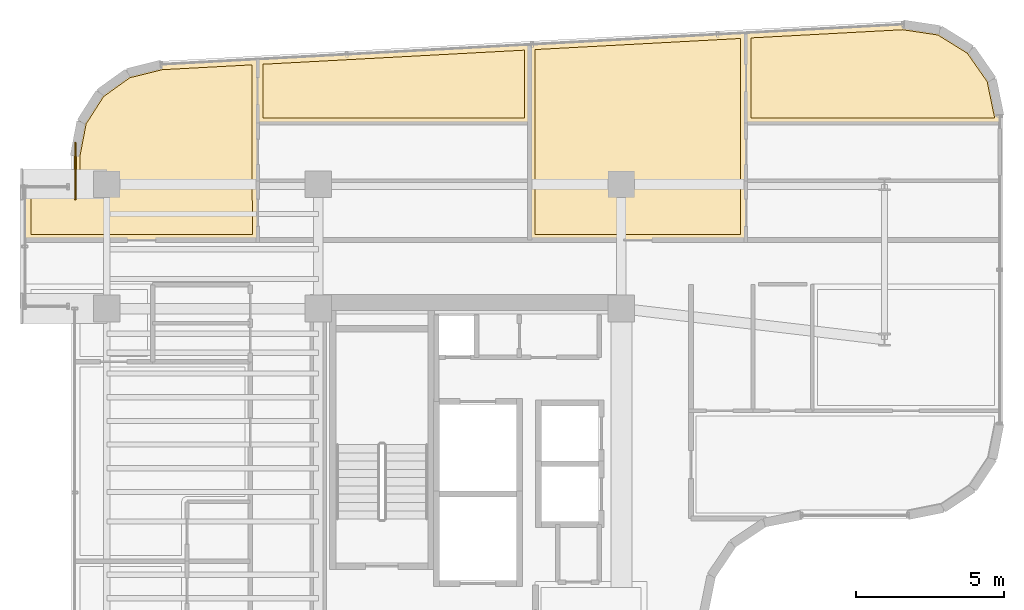
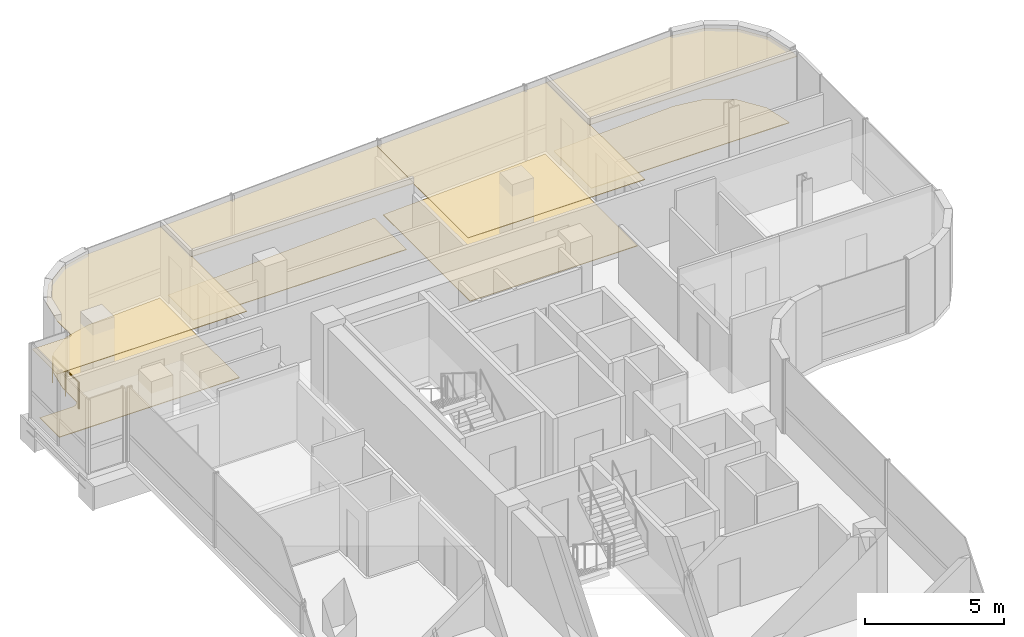
# One storey, part 23 of 23: 8 coverings, 1 railing.
"""IFC4 building model written with IfcOpenShell, lengths in metres."""

from ifc_helpers import new_model, si_unit, direction, frame, origin, origin_2d, place, context, subcontext, project, spatial, polyline, circle, outline, extrude, material, layer, layer_set, type_object, element, save


model = new_model("IFC4")

# Units and contexts
model_context = context("Model", 3, precision=1e-05, world=origin(), true_north=direction((0.0, 1.0)))
body_context = subcontext(model_context, "Body", "Model", "MODEL_VIEW")
ifc_project = project(units=[si_unit("LENGTHUNIT", "METRE"), si_unit("AREAUNIT", "SQUARE_METRE"), si_unit("VOLUMEUNIT", "CUBIC_METRE"), si_unit("PLANEANGLEUNIT", "RADIAN"), si_unit("MASSUNIT", "GRAM", prefix="KILO")], contexts=[model_context])

# Site, building, storey
site_placement = place(None, origin())
site = spatial("IfcSite", under=ifc_project, at=site_placement, CompositionType="ELEMENT")
building_placement = place(site_placement, origin())
building = spatial("IfcBuilding", under=site, at=building_placement, Name="Valdorenza Pilgrim Sanctuary Tower", CompositionType="ELEMENT")
storey_placement = place(building_placement, frame((0.0, 0.0, 226.5)))
storey = spatial("IfcBuildingStorey", under=building, at=storey_placement, Name="L58", CompositionType="ELEMENT", Elevation=226.5)

# Coverings
ifc_material_1 = material(Name="Micro-perforated acoustic mineral ceiling tile", Category="gypsum")
ifc_layer_1 = layer(ifc_material_1, 0.02490234375, Name="Micro-perforated acoustic mineral ceiling tile")
ifc_layer_set_1 = layer_set([ifc_layer_1], Name="Micro-perforated acoustic mineral ceiling tile")
covering_type_1 = type_object("IfcCoveringType", Name="COV-CLG-ACU", PredefinedType="CEILING", material=ifc_layer_set_1)
covering_1_placement = place(storey_placement, frame((0.0, 0.0, 2.9599609375)))
element("IfcCovering", 1, at=covering_1_placement, inside=storey, type_object=covering_type_1, Name="L58 North Sanctuary Apartment L58-N1 Bedroom Acoustic Ceiling", PredefinedType="CEILING", context=body_context, shape_type="SweptSolid", body=[
    extrude(outline(polyline([(-24.70166015625, 16.85498046875), (-24.703125, 16.85498046875), (-24.70458984375, 16.855224609375), (-24.7060546875, 16.855712890625), (-24.707275390625, 16.856201171875), (-24.708740234375, 16.856689453125), (-24.7099609375, 16.857421875), (-24.711181640625, 16.8583984375), (-24.712158203125, 16.859375), (-24.713134765625, 16.860595703125), (-24.714111328125, 16.86181640625), (-24.71484375, 16.86279296875), (-24.715576171875, 16.8642578125), (-24.716064453125, 16.865478515625), (-24.71630859375, 16.8671875), (-24.716552734375, 16.868408203125), (-24.716552734375, 16.8701171875), (-24.716552734375, 19.02978515625), (-24.716552734375, 19.03125), (-24.71630859375, 19.03271484375), (-24.7158203125, 19.0341796875), (-24.71533203125, 19.03564453125), (-24.714599609375, 19.037109375), (-24.7138671875, 19.038330078125), (-24.712890625, 19.03955078125), (-24.7119140625, 19.04052734375), (-24.710693359375, 19.04150390625), (-24.709716796875, 19.04248046875), (-24.708251953125, 19.043212890625), (-24.706787109375, 19.043701171875), (-24.705322265625, 19.044189453125), (-24.703857421875, 19.044677734375), (-24.702392578125, 19.044677734375), (-15.500732421875, 19.541259765625), (-15.49951171875, 19.541259765625), (-15.497802734375, 19.541259765625), (-15.49658203125, 19.541015625), (-15.4951171875, 19.54052734375), (-15.493896484375, 19.5400390625), (-15.49267578125, 19.539306640625), (-15.4912109375, 19.53857421875), (-15.490234375, 19.53759765625), (-15.4892578125, 19.53662109375), (-15.48828125, 19.53564453125), (-15.4873046875, 19.534423828125), (-15.48681640625, 19.533203125), (-15.486083984375, 19.531982421875), (-15.485595703125, 19.530517578125), (-15.4853515625, 19.529296875), (-15.485107421875, 19.52783203125), (-15.485107421875, 19.5263671875), (-15.485107421875, 16.8701171875), (-15.485107421875, 16.868408203125), (-15.4853515625, 16.8671875), (-15.485595703125, 16.865478515625), (-15.486083984375, 16.8642578125), (-15.48681640625, 16.86279296875), (-15.487548828125, 16.86181640625), (-15.48828125, 16.860595703125), (-15.489501953125, 16.859375), (-15.490478515625, 16.8583984375), (-15.49169921875, 16.857421875), (-15.492919921875, 16.856689453125), (-15.494384765625, 16.856201171875), (-15.49560546875, 16.855712890625), (-15.4970703125, 16.855224609375), (-15.49853515625, 16.85498046875), (-15.5, 16.85498046875), (-24.70166015625, 16.85498046875)])), origin(), (0.0, 0.0, 1.0), 0.025146484375),
])
covering_2_placement = place(storey_placement, frame((0.0, 0.0, 2.9599609375)))
element("IfcCovering", 2, at=covering_2_placement, inside=storey, type_object=covering_type_1, Name="L58 North Sanctuary Apartment L58-N1 Living Room Acoustic Ceiling", PredefinedType="CEILING", context=body_context, shape_type="SweptSolid", body=[
    extrude(outline(polyline([(-32.5400390625, 12.905029296875), (-32.54150390625, 12.905029296875), (-32.54296875, 12.9052734375), (-32.54443359375, 12.905517578125), (-32.545654296875, 12.906005859375), (-32.547119140625, 12.90673828125), (-32.54833984375, 12.907470703125), (-32.549560546875, 12.908447265625), (-32.550537109375, 12.909423828125), (-32.551513671875, 12.910400390625), (-32.552490234375, 12.91162109375), (-32.55322265625, 12.912841796875), (-32.553955078125, 12.914306640625), (-32.554443359375, 12.91552734375), (-32.5546875, 12.9169921875), (-32.554931640625, 12.91845703125), (-32.554931640625, 12.919921875), (-32.554931640625, 14.68994140625), (-32.554931640625, 14.69140625), (-32.5546875, 14.69287109375), (-32.554443359375, 14.6943359375), (-32.553955078125, 14.69580078125), (-32.55322265625, 14.697021484375), (-32.552490234375, 14.6982421875), (-32.551513671875, 14.699462890625), (-32.550537109375, 14.70068359375), (-32.549560546875, 14.70166015625), (-32.54833984375, 14.702392578125), (-32.547119140625, 14.703125), (-32.545654296875, 14.703857421875), (-32.54443359375, 14.704345703125), (-32.54296875, 14.70458984375), (-32.54150390625, 14.704833984375), (-32.5400390625, 14.705078125), (-31.00048828125, 14.705078125), (-30.99072265625, 14.70556640625), (-30.9814453125, 14.706787109375), (-30.972412109375, 14.708984375), (-30.963623046875, 14.712158203125), (-30.955078125, 14.71630859375), (-30.947265625, 14.720947265625), (-30.939697265625, 14.7265625), (-30.932861328125, 14.73291015625), (-30.926513671875, 14.73974609375), (-30.9208984375, 14.747314453125), (-30.916259765625, 14.755126953125), (-30.912109375, 14.763671875), (-30.9091796875, 14.7724609375), (-30.90673828125, 14.781494140625), (-30.905517578125, 14.790771484375), (-30.905029296875, 14.80029296875), (-30.905029296875, 15.757568359375), (-30.90478515625, 15.759033203125), (-30.90478515625, 15.760498046875), (-30.683349609375, 16.9140625), (-30.68310546875, 16.915283203125), (-30.6826171875, 16.916748046875), (-30.681884765625, 16.918212890625), (-30.681396484375, 16.919189453125), (-30.05419921875, 17.89990234375), (-30.053466796875, 17.901123046875), (-30.052490234375, 17.90234375), (-30.051513671875, 17.9033203125), (-30.05029296875, 17.904052734375), (-29.104736328125, 18.5830078125), (-29.103515625, 18.583740234375), (-29.102294921875, 18.58447265625), (-29.10107421875, 18.5849609375), (-29.099609375, 18.58544921875), (-27.959716796875, 18.86865234375), (-27.958251953125, 18.868896484375), (-27.956787109375, 18.869140625), (-24.704345703125, 19.044677734375), (-24.702880859375, 19.044677734375), (-24.701416015625, 19.04443359375), (-24.7001953125, 19.044189453125), (-24.69873046875, 19.043701171875), (-24.697509765625, 19.043212890625), (-24.6962890625, 19.042724609375), (-24.69482421875, 19.0419921875), (-24.69384765625, 19.041015625), (-24.69287109375, 19.0400390625), (-24.69189453125, 19.0390625), (-24.69091796875, 19.037841796875), (-24.690185546875, 19.03662109375), (-24.689697265625, 19.03515625), (-24.689208984375, 19.033935546875), (-24.68896484375, 19.032470703125), (-24.688720703125, 19.031005859375), (-24.688720703125, 19.02978515625), (-24.688720703125, 16.87548828125), (-24.688232421875, 16.875), (-24.687744140625, 16.87353515625), (-24.687255859375, 16.872314453125), (-24.68701171875, 16.870849609375), (-24.686767578125, 16.869384765625), (-24.6865234375, 16.867919921875), (-24.6865234375, 12.919921875), (-24.686767578125, 12.91845703125), (-24.68701171875, 12.9169921875), (-24.687255859375, 12.91552734375), (-24.687744140625, 12.914306640625), (-24.6884765625, 12.912841796875), (-24.689208984375, 12.91162109375), (-24.68994140625, 12.910400390625), (-24.69091796875, 12.909423828125), (-24.692138671875, 12.908447265625), (-24.693359375, 12.907470703125), (-24.694580078125, 12.90673828125), (-24.69580078125, 12.906005859375), (-24.697265625, 12.905517578125), (-24.69873046875, 12.9052734375), (-24.7001953125, 12.905029296875), (-24.70166015625, 12.905029296875), (-32.5400390625, 12.905029296875)])), origin(), (0.0, 0.0, 1.0), 0.025146484375),
])
covering_3_placement = place(storey_placement, frame((0.0, 0.0, 2.9599609375)))
element("IfcCovering", 3, at=covering_3_placement, inside=storey, type_object=covering_type_1, Name="L58 North Sanctuary Apartment L58-N2 Bedroom Acoustic Ceiling", PredefinedType="CEILING", context=body_context, shape_type="SweptSolid", body=[
    extrude(outline(polyline([(-8.20556640625, 19.9208984375), (-8.20556640625, 19.92236328125), (-8.205322265625, 19.923828125), (-8.204833984375, 19.92529296875), (-8.204345703125, 19.9267578125), (-8.20361328125, 19.927978515625), (-8.202880859375, 19.929443359375), (-8.201904296875, 19.9306640625), (-8.200927734375, 19.931640625), (-8.19970703125, 19.9326171875), (-8.198486328125, 19.93359375), (-8.197265625, 19.934326171875), (-8.19580078125, 19.934814453125), (-8.1943359375, 19.935302734375), (-8.19287109375, 19.935546875), (-8.19140625, 19.935791015625), (-2.87841796875, 20.222412109375), (-2.876953125, 20.222412109375), (-2.87548828125, 20.222412109375), (-1.63232421875, 20.035400390625), (-1.630859375, 20.03515625), (-1.62939453125, 20.034912109375), (-1.628173828125, 20.0341796875), (-1.626708984375, 20.033447265625), (-0.568359375, 19.376708984375), (-0.567138671875, 19.3759765625), (-0.56591796875, 19.375), (-0.56494140625, 19.373779296875), (-0.56396484375, 19.372802734375), (0.148681640625, 18.351318359375), (0.1494140625, 18.349853515625), (0.150146484375, 18.3486328125), (0.150634765625, 18.34716796875), (0.151123046875, 18.345703125), (0.40478515625, 17.114501953125), (0.40478515625, 17.11279296875), (0.405029296875, 17.111328125), (0.405029296875, 16.8701171875), (0.40478515625, 16.868408203125), (0.40478515625, 16.8671875), (0.404296875, 16.865478515625), (0.40380859375, 16.8642578125), (0.4033203125, 16.86279296875), (0.402587890625, 16.86181640625), (0.401611328125, 16.860595703125), (0.400634765625, 16.859375), (0.3994140625, 16.8583984375), (0.398193359375, 16.857421875), (0.397216796875, 16.856689453125), (0.395751953125, 16.856201171875), (0.394287109375, 16.855712890625), (0.392822265625, 16.855224609375), (0.3916015625, 16.85498046875), (0.389892578125, 16.85498046875), (-8.190673828125, 16.85498046875), (-8.192138671875, 16.85498046875), (-8.193603515625, 16.855224609375), (-8.195068359375, 16.855712890625), (-8.1962890625, 16.856201171875), (-8.19775390625, 16.856689453125), (-8.198974609375, 16.857421875), (-8.2001953125, 16.8583984375), (-8.201171875, 16.859375), (-8.2021484375, 16.860595703125), (-8.203125, 16.86181640625), (-8.203857421875, 16.86279296875), (-8.20458984375, 16.8642578125), (-8.205078125, 16.865478515625), (-8.205322265625, 16.8671875), (-8.20556640625, 16.868408203125), (-8.20556640625, 16.8701171875), (-8.20556640625, 19.9208984375)])), origin(), (0.0, 0.0, 1.0), 0.025146484375),
])
covering_4_placement = place(storey_placement, frame((0.0, 0.0, 2.9599609375)))
element("IfcCovering", 4, at=covering_4_placement, inside=storey, type_object=covering_type_1, Name="L58 North Sanctuary Apartment L58-N2 Living Room Acoustic Ceiling", PredefinedType="CEILING", context=body_context, shape_type="SweptSolid", body=[
    extrude(outline(polyline([(-15.512939453125, 14.918212890625), (-15.51318359375, 14.9189453125), (-15.51318359375, 14.92041015625), (-15.51318359375, 14.922119140625), (-15.51318359375, 14.923583984375), (-15.512939453125, 14.923828125), (-15.512939453125, 16.8662109375), (-15.51318359375, 16.866943359375), (-15.51318359375, 16.868408203125), (-15.51318359375, 16.8701171875), (-15.51318359375, 16.87158203125), (-15.512939453125, 16.871826171875), (-15.512939453125, 19.5263671875), (-15.512939453125, 19.5263671875), (-15.512939453125, 19.527099609375), (-15.5126953125, 19.52880859375), (-15.5126953125, 19.530029296875), (-15.51220703125, 19.531494140625), (-15.51171875, 19.532958984375), (-15.510986328125, 19.5341796875), (-15.510009765625, 19.535400390625), (-15.509033203125, 19.53662109375), (-15.508056640625, 19.53759765625), (-15.507080078125, 19.53857421875), (-15.505859375, 19.539306640625), (-15.50439453125, 19.5400390625), (-15.503173828125, 19.54052734375), (-15.501708984375, 19.541015625), (-15.500244140625, 19.541259765625), (-15.498779296875, 19.54150390625), (-8.193359375, 19.935791015625), (-8.19189453125, 19.935791015625), (-8.1904296875, 19.935546875), (-8.189208984375, 19.935302734375), (-8.187744140625, 19.934814453125), (-8.186279296875, 19.934326171875), (-8.185302734375, 19.93359375), (-8.183837890625, 19.93310546875), (-8.182861328125, 19.93212890625), (-8.181884765625, 19.93115234375), (-8.180908203125, 19.929931640625), (-8.179931640625, 19.928955078125), (-8.17919921875, 19.927490234375), (-8.1787109375, 19.92626953125), (-8.17822265625, 19.925048828125), (-8.177978515625, 19.923583984375), (-8.177734375, 19.922119140625), (-8.177490234375, 19.920654296875), (-8.177490234375, 16.87548828125), (-8.17724609375, 16.875), (-8.1767578125, 16.87353515625), (-8.17626953125, 16.872314453125), (-8.17578125, 16.870849609375), (-8.17578125, 16.869384765625), (-8.175537109375, 16.867919921875), (-8.175537109375, 12.919921875), (-8.17578125, 12.91845703125), (-8.17578125, 12.9169921875), (-8.17626953125, 12.91552734375), (-8.1767578125, 12.914306640625), (-8.177490234375, 12.912841796875), (-8.177978515625, 12.91162109375), (-8.178955078125, 12.910400390625), (-8.179931640625, 12.909423828125), (-8.18115234375, 12.908447265625), (-8.182373046875, 12.907470703125), (-8.18359375, 12.90673828125), (-8.184814453125, 12.906005859375), (-8.186279296875, 12.905517578125), (-8.187744140625, 12.9052734375), (-8.189208984375, 12.905029296875), (-8.190673828125, 12.905029296875), (-15.498046875, 12.905029296875), (-15.49951171875, 12.905029296875), (-15.5009765625, 12.9052734375), (-15.50244140625, 12.905517578125), (-15.503662109375, 12.906005859375), (-15.505126953125, 12.90673828125), (-15.50634765625, 12.907470703125), (-15.507568359375, 12.908447265625), (-15.508544921875, 12.909423828125), (-15.509521484375, 12.910400390625), (-15.510498046875, 12.91162109375), (-15.51123046875, 12.912841796875), (-15.511962890625, 12.914306640625), (-15.512451171875, 12.91552734375), (-15.5126953125, 12.9169921875), (-15.512939453125, 12.91845703125), (-15.512939453125, 12.919921875), (-15.512939453125, 14.918212890625)])), origin(), (0.0, 0.0, 1.0), 0.025146484375),
])
ifc_material_2 = material(Name="Engineered European oak timber flooring", Category="wood")
ifc_layer_2 = layer(ifc_material_2, 0.02197265625, Name="Engineered European oak timber flooring")
ifc_layer_set_2 = layer_set([ifc_layer_2], Name="Engineered European oak timber flooring")
covering_type_2 = type_object("IfcCoveringType", Name="COV-FLR-OAK", PredefinedType="FLOORING", material=ifc_layer_set_2)
covering_5_placement = place(storey_placement, origin())
element("IfcCovering", 5, at=covering_5_placement, inside=storey, type_object=covering_type_2, Name="L58 North Sanctuary Apartment L58-N1 Bedroom Flooring", PredefinedType="FLOORING", context=body_context, shape_type="SweptSolid", body=[
    extrude(outline(polyline([(-24.521484375, 17.050048828125), (-24.521484375, 18.859130859375), (-15.679931640625, 19.33642578125), (-15.679931640625, 17.050048828125), (-24.521484375, 17.050048828125)])), origin(), (0.0, 0.0, 1.0), 0.02490234375),
])
covering_6_placement = place(storey_placement, origin())
element("IfcCovering", 6, at=covering_6_placement, inside=storey, type_object=covering_type_2, Name="L58 North Sanctuary Apartment L58-N1 Living Room Flooring", PredefinedType="FLOORING", context=body_context, shape_type="SweptSolid", body=[
    extrude(outline(polyline([(-32.360107421875, 13.10009765625), (-32.360107421875, 14.510009765625), (-31.0, 14.510009765625), (-30.9912109375, 14.51025390625), (-30.98046875, 14.5107421875), (-30.962890625, 14.512451171875), (-30.9521484375, 14.51416015625), (-30.934814453125, 14.517578125), (-30.92431640625, 14.52001953125), (-30.907470703125, 14.525390625), (-30.897216796875, 14.52880859375), (-30.880859375, 14.53564453125), (-30.87109375, 14.540283203125), (-30.855712890625, 14.548583984375), (-30.84619140625, 14.55419921875), (-30.831787109375, 14.56396484375), (-30.822998046875, 14.5703125), (-30.809326171875, 14.58154296875), (-30.80126953125, 14.5888671875), (-30.788818359375, 14.601318359375), (-30.781494140625, 14.609375), (-30.7705078125, 14.623046875), (-30.763916015625, 14.631591796875), (-30.754150390625, 14.646240234375), (-30.74853515625, 14.655517578125), (-30.740234375, 14.671142578125), (-30.735595703125, 14.680908203125), (-30.72900390625, 14.697265625), (-30.725341796875, 14.70751953125), (-30.72021484375, 14.724365234375), (-30.717529296875, 14.73486328125), (-30.714111328125, 14.752197265625), (-30.71240234375, 14.7626953125), (-30.710693359375, 14.780517578125), (-30.710205078125, 14.791259765625), (-30.7099609375, 14.800048828125), (-30.7099609375, 15.740478515625), (-30.498291015625, 16.843505859375), (-29.90869140625, 17.765869140625), (-29.019287109375, 18.404541015625), (-27.92919921875, 18.67529296875), (-24.883544921875, 18.839599609375), (-24.883544921875, 16.8701171875), (-24.881591796875, 13.10009765625), (-32.360107421875, 13.10009765625)])), origin(), (0.0, 0.0, 1.0), 0.02490234375),
])
covering_7_placement = place(storey_placement, origin())
element("IfcCovering", 7, at=covering_7_placement, inside=storey, type_object=covering_type_2, Name="L58 North Sanctuary Apartment L58-N2 Bedroom Flooring", PredefinedType="FLOORING", context=body_context, shape_type="SweptSolid", body=[
    extrude(outline(polyline([(-8.010498046875, 19.750244140625), (-2.88623046875, 20.02685546875), (-1.697998046875, 19.84814453125), (-0.70263671875, 19.230712890625), (-0.032470703125, 18.27001953125), (0.2099609375, 17.093017578125), (0.2099609375, 17.050048828125), (-8.010498046875, 17.050048828125), (-8.010498046875, 19.750244140625)])), origin(), (0.0, 0.0, 1.0), 0.02490234375),
])
covering_8_placement = place(storey_placement, origin())
element("IfcCovering", 8, at=covering_8_placement, inside=storey, type_object=covering_type_2, Name="L58 North Sanctuary Apartment L58-N2 Living Room Flooring", PredefinedType="FLOORING", context=body_context, shape_type="SweptSolid", body=[
    extrude(outline(polyline([(-15.318115234375, 14.921630859375), (-15.318115234375, 14.922119140625), (-15.318115234375, 16.867919921875), (-15.318115234375, 16.868896484375), (-15.318115234375, 16.86962890625), (-15.318115234375, 16.8701171875), (-15.318115234375, 19.355712890625), (-8.37255859375, 19.730712890625), (-8.37255859375, 16.8701171875), (-8.37060546875, 13.10009765625), (-15.318115234375, 13.10009765625), (-15.318115234375, 14.919921875), (-15.318115234375, 14.9208984375), (-15.318115234375, 14.921630859375)])), origin(), (0.0, 0.0, 1.0), 0.02490234375),
])

# Railing
ifc_material_3 = material(Name="Stainless steel Grade 316", Category="steel")
railing_type = type_object("IfcRailingType", Name="RLG-GRD-1120", PredefinedType="GUARDRAIL", material=ifc_material_3)
railing_placement = place(storey_placement, frame((-30.860107421875, 14.300048828125, 0.0)))
element("IfcRailing", 9, at=railing_placement, inside=storey, type_object=railing_type, Name="L58 NW Tangent Safety Sill Guard", PredefinedType="GUARDRAIL", context=body_context, shape_type="SweptSolid", body=[
    extrude(circle(Radius=0.02392578125, at=origin_2d()), frame((0.0, 0.0, 1.17578125), z_axis=(0.0, 1.0, 0.0), x_axis=(-1.0, 0.0, 0.0)), (0.0, 0.0, 1.0), 1.89990234375),
    extrude(circle(Radius=0.02099609375, at=origin_2d()), origin(), (0.0, 0.0, 1.0), 1.15185546875),
    extrude(circle(Radius=0.02099609375, at=origin_2d()), frame((0.0, 0.949951171875, 0.0)), (0.0, 0.0, 1.0), 1.15185546875),
    extrude(circle(Radius=0.02099609375, at=origin_2d()), frame((0.0, 1.89990234375, 0.0)), (0.0, 0.0, 1.0), 1.15185546875),
])

save(model, "model.ifc")
